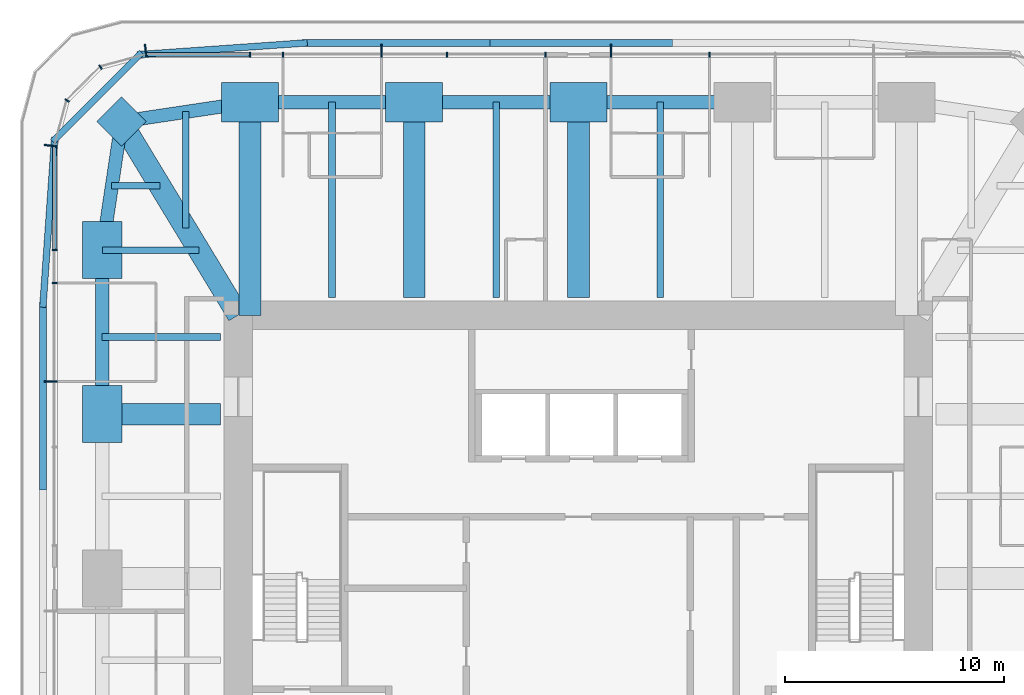
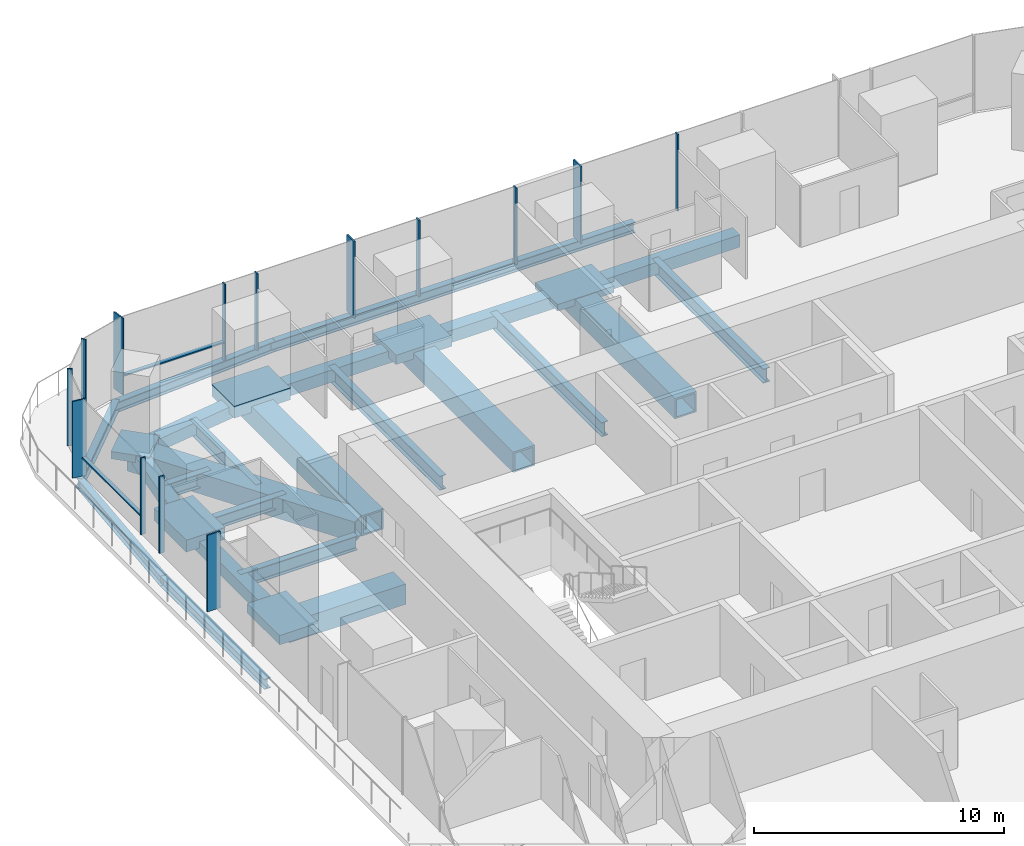
# One storey, part 5 of 15: 33 members, 13 beams, 3 elements without a shape of their own.
"""IFC4 building model written with IfcOpenShell, lengths in metres."""

from ifc_helpers import new_model, si_unit, direction, frame, origin, origin_2d, place, context, subcontext, project, spatial, rectangle, hollow_rectangle, i_section, extrude, material, material_profile, profile_set, type_object, element, aggregate, save


model = new_model("IFC4")

# Units and contexts
model_context = context("Model", 3, precision=1e-05, world=origin(), true_north=direction((0.0, 1.0)))
body_context = subcontext(model_context, "Body", "Model", "MODEL_VIEW")
ifc_project = project(units=[si_unit("LENGTHUNIT", "METRE"), si_unit("AREAUNIT", "SQUARE_METRE"), si_unit("VOLUMEUNIT", "CUBIC_METRE"), si_unit("PLANEANGLEUNIT", "RADIAN"), si_unit("MASSUNIT", "GRAM", prefix="KILO")], contexts=[model_context])

# Site, building, storey
site_placement = place(None, origin())
site = spatial("IfcSite", under=ifc_project, at=site_placement, CompositionType="ELEMENT")
building_placement = place(site_placement, origin())
building = spatial("IfcBuilding", under=site, at=building_placement, Name="Khuree Lantern Residences", CompositionType="ELEMENT")
storey_placement = place(building_placement, frame((0.0, 0.0, 285.75)))
storey = spatial("IfcBuildingStorey", under=building, at=storey_placement, Name="L71", CompositionType="ELEMENT", Elevation=285.75)

# Beams
ifc_material_1 = material(Name="Steel S355", Category="steel")
ifc_material_profile_1 = material_profile(ifc_material_1, i_section(OverallWidth=0.300048828125, OverallDepth=0.68994140625, WebThickness=0.014404296875, FlangeThickness=0.027099609375, FilletRadius=0.027099609375, at=origin_2d()), Name="HE 700 A")
ifc_profile_set_1 = profile_set([ifc_material_profile_1], Name="Steel S355")
beam_type_1 = type_object("IfcBeamType", Name="B-41 SECONDARY BEAM HE 700 A", PredefinedType="BEAM", material=ifc_profile_set_1)
for number, where, z_axis, x_axis, name in (
    (1, (-11.2275390625, 21.716064453125, -0.594970703125), (0.0, -1.0, 0.0), (1.0, 0.0, 0.0), "Secondary beam N1"),
    (2, (-3.742431640625, 21.716064453125, -0.594970703125), (0.0, -1.0, 0.0), (1.0, 0.0, 0.0), "Secondary beam N2"),
    (3, (3.742431640625, 21.716064453125, -0.594970703125), (0.0, -1.0, 0.0), (1.0, 0.0, 0.0), "Secondary beam N3"),
):
    element("IfcBeam", number, at=place(storey_placement, frame(where, z_axis=z_axis, x_axis=x_axis)), inside=storey, type_object=beam_type_1, Name=name, PredefinedType="BEAM", context=body_context, shape_type="SweptSolid", body=[
        extrude(i_section(OverallWidth=0.300048828125, OverallDepth=0.68994140625, WebThickness=0.014404296875, FlangeThickness=0.027099609375, FilletRadius=0.027099609375, at=origin_2d()), origin(), (0.0, 0.0, 1.0), 8.916015625),
    ])
beam_1_placement = place(storey_placement, frame((-21.716064453125, 11.0, -0.594970703125), z_axis=(1.0, 0.0, 0.0), x_axis=(0.0, 1.0, 0.0)))
element("IfcBeam", 4, at=beam_1_placement, inside=storey, type_object=beam_type_1, Name="Secondary beam W5", PredefinedType="BEAM", context=body_context, shape_type="SweptSolid", body=[
    extrude(i_section(OverallWidth=0.300048828125, OverallDepth=0.68994140625, WebThickness=0.014404296875, FlangeThickness=0.027099609375, FilletRadius=0.027099609375, at=origin_2d()), origin(), (0.0, 0.0, 1.0), 5.416015625),
])
beam_2_placement = place(storey_placement, frame((-21.276123046875, 17.903076171875, -0.594970703125), z_axis=(1.0, 0.0, 0.0), x_axis=(0.0, 1.0, 0.0)))
element("IfcBeam", 5, at=beam_2_placement, inside=storey, type_object=beam_type_1, Name="Secondary beam W6", PredefinedType="BEAM", context=body_context, shape_type="SweptSolid", body=[
    extrude(i_section(OverallWidth=0.300048828125, OverallDepth=0.68994140625, WebThickness=0.014404296875, FlangeThickness=0.027099609375, FilletRadius=0.027099609375, at=origin_2d()), origin(), (0.0, 0.0, 1.0), 2.19775390625),
])
beam_3_placement = place(storey_placement, frame((-17.903076171875, 21.276123046875, -0.594970703125), z_axis=(0.0, -1.0, 0.0), x_axis=(1.0, 0.0, 0.0)))
element("IfcBeam", 6, at=beam_3_placement, inside=storey, type_object=beam_type_1, Name="Secondary beam N6", PredefinedType="BEAM", context=body_context, shape_type="SweptSolid", body=[
    extrude(i_section(OverallWidth=0.300048828125, OverallDepth=0.68994140625, WebThickness=0.014404296875, FlangeThickness=0.027099609375, FilletRadius=0.027099609375, at=origin_2d()), origin(), (0.0, 0.0, 1.0), 5.31201171875),
])

# Members
ifc_material_profile_2 = material_profile(ifc_material_1, hollow_rectangle(XDim=0.60009765625, YDim=0.60009765625, WallThickness=0.050048828125, at=origin_2d()), Name="WELDED BOX 600X600X50")
ifc_profile_set_2 = profile_set([ifc_material_profile_2], Name="Steel S355")
member_type_1 = type_object("IfcMemberType", Name="BT-71 BELT TRUSS CHORD WELDED BOX 600X600X50", PredefinedType="CHORD", material=ifc_profile_set_2)
for number, where, z_axis, x_axis, name in (
    (7, (-14.9599609375, 21.699951171875, -0.550048828125), (1.0, 0.0, 0.0), (0.0, 1.0, 0.0), "Belt truss chord N1"),
    (8, (-7.47998046875, 21.699951171875, -0.550048828125), (1.0, 0.0, 0.0), (0.0, 1.0, 0.0), "Belt truss chord N2"),
    (9, (0.0, 21.699951171875, -0.550048828125), (1.0, 0.0, 0.0), (0.0, 1.0, 0.0), "Belt truss chord N3"),
    (10, (-21.699951171875, 7.47998046875, -0.550048828125), (0.0, 1.0, 0.0), (-1.0, 0.0, 0.0), "Belt truss chord W5"),
):
    element("IfcMember", number, at=place(storey_placement, frame(where, z_axis=z_axis, x_axis=x_axis)), inside=storey, type_object=member_type_1, Name=name, PredefinedType="CHORD", context=body_context, shape_type="SweptSolid", body=[
        extrude(hollow_rectangle(XDim=0.60009765625, YDim=0.60009765625, WallThickness=0.050048828125, at=origin_2d()), origin(), (0.0, 0.0, 1.0), 7.47998046875),
    ])
for number, where, z_axis, x_axis, name in (
    (11, (-21.699951171875, 14.9599609375, -0.550048828125), (0.148251822985, 0.988949643299, 0.0), (-0.988949643299, 0.148251822985, 0.0), "Belt truss chord W6"),
    (12, (-20.8212890625, 20.8212890625, -0.550048828125), (0.988949643299, 0.148251822985, 0.0), (-0.148251822985, 0.988949643299, 0.0), "Belt truss chord N6"),
):
    element("IfcMember", number, at=place(storey_placement, frame(where, z_axis=z_axis, x_axis=x_axis)), inside=storey, type_object=member_type_1, Name=name, PredefinedType="CHORD", context=body_context, shape_type="SweptSolid", body=[
        extrude(hollow_rectangle(XDim=0.60009765625, YDim=0.60009765625, WallThickness=0.050048828125, at=origin_2d()), origin(), (0.0, 0.0, 1.0), 5.9267578125),
    ])

# Curtain wall, members
ifc_material_2 = material(Name="Bronze anodised aluminium", Category="aluminium")
curtain_wall_type_1 = type_object("IfcCurtainWallType", Name="CW-T1 TOWER FACE CURTAIN WALL", PredefinedType="USERDEFINED", material=ifc_material_2)
curtain_wall_1_placement = place(storey_placement, origin())
curtain_wall_1 = element("IfcCurtainWall", 13, at=curtain_wall_1_placement, inside=storey, type_object=curtain_wall_type_1, Name="L71 NORTH FACE CURTAIN WALL", ObjectType="Stick-built curtain wall", PredefinedType="USERDEFINED")
ifc_material_profile_3 = material_profile(ifc_material_2, rectangle(XDim=0.06494140625, YDim=0.60009765625, at=origin_2d()), Name="F1 65X600")
ifc_profile_set_3 = profile_set([ifc_material_profile_3], Name="Bronze anodised aluminium")
member_type_2 = type_object("IfcMemberType", Name="F1 BRONZE FIN MULLION TOWER 65X600", PredefinedType="MULLION", material=ifc_profile_set_3)
member_1_placement = place(storey_placement, frame((1.49609375, 24.050048828125, 0.0), z_axis=(0.0, 0.0, 1.0), x_axis=(-1.0, 0.0, 0.0)))
member_1 = element("IfcMember", 14, at=member_1_placement, type_object=member_type_2, Name="L71 NORTH FACE FIN MULLION 23", PredefinedType="MULLION", context=body_context, shape_type="SweptSolid", body=[
    extrude(rectangle(XDim=0.06494140625, YDim=0.60009765625, at=origin_2d()), origin(), (0.0, 0.0, 1.0), 3.75),
])
member_2_placement = place(storey_placement, frame((-8.97607421875, 24.050048828125, 0.0), z_axis=(0.0, 0.0, 1.0), x_axis=(-1.0, 0.0, 0.0)))
member_2 = element("IfcMember", 15, at=member_2_placement, type_object=member_type_2, Name="L71 NORTH FACE FIN MULLION 26", PredefinedType="MULLION", context=body_context, shape_type="SweptSolid", body=[
    extrude(rectangle(XDim=0.06494140625, YDim=0.60009765625, at=origin_2d()), origin(), (0.0, 0.0, 1.0), 3.75),
])

# Curtain wall, member
curtain_wall_type_2 = type_object("IfcCurtainWallType", Name="CW-T2 TOWER CORNER CURTAIN WALL", PredefinedType="USERDEFINED", material=ifc_material_2)
curtain_wall_2_placement = place(storey_placement, origin())
curtain_wall_2 = element("IfcCurtainWall", 16, at=curtain_wall_2_placement, inside=storey, type_object=curtain_wall_type_2, Name="L71 NORTH-WEST CORNER CURTAIN WALL", ObjectType="Faceted corner curtain wall", PredefinedType="USERDEFINED")
member_3_placement = place(storey_placement, frame((-19.7197265625, 24.050048828125, 0.0), z_axis=(0.0, 0.0, 1.0), x_axis=(-0.991444870192, -0.130526125236, 0.0)))
member_3 = element("IfcMember", 17, at=member_3_placement, type_object=member_type_2, Name="L71 NORTH-WEST CORNER FIN MULLION 29", PredefinedType="MULLION", context=body_context, shape_type="SweptSolid", body=[
    extrude(rectangle(XDim=0.06494140625, YDim=0.60009765625, at=origin_2d()), origin(), (0.0, 0.0, 1.0), 3.75),
])

# Curtain wall, members
curtain_wall_3_placement = place(storey_placement, origin())
curtain_wall_3 = element("IfcCurtainWall", 18, at=curtain_wall_3_placement, inside=storey, type_object=curtain_wall_type_1, Name="L71 WEST FACE CURTAIN WALL", ObjectType="Stick-built curtain wall", PredefinedType="USERDEFINED")
member_4_placement = place(storey_placement, frame((-24.050048828125, 19.7197265625, 0.0), z_axis=(0.0, 0.0, 1.0), x_axis=(-0.130526125236, -0.991444870192, 0.0)))
member_4 = element("IfcMember", 19, at=member_4_placement, type_object=member_type_2, Name="L71 WEST FACE FIN MULLION 32", PredefinedType="MULLION", context=body_context, shape_type="SweptSolid", body=[
    extrude(rectangle(XDim=0.06494140625, YDim=0.60009765625, at=origin_2d()), origin(), (0.0, 0.0, 1.0), 3.75),
])
member_5_placement = place(storey_placement, frame((-24.050048828125, 8.97607421875, 0.0), z_axis=(0.0, 0.0, 1.0), x_axis=(0.0, -1.0, 0.0)))
member_5 = element("IfcMember", 20, at=member_5_placement, type_object=member_type_2, Name="L71 WEST FACE FIN MULLION 35", PredefinedType="MULLION", context=body_context, shape_type="SweptSolid", body=[
    extrude(rectangle(XDim=0.06494140625, YDim=0.60009765625, at=origin_2d()), origin(), (0.0, 0.0, 1.0), 3.75),
])

# Beam
ifc_material_profile_4 = material_profile(ifc_material_1, i_section(OverallWidth=0.300048828125, OverallDepth=0.60009765625, WebThickness=0.015380859375, FlangeThickness=0.030029296875, FilletRadius=0.027099609375, at=origin_2d()), Name="HE 600 B")
ifc_profile_set_4 = profile_set([ifc_material_profile_4], Name="Steel S355")
beam_type_2 = type_object("IfcBeamType", Name="G-41 GIRDER HE 600 B", PredefinedType="BEAM", material=ifc_profile_set_4)
beam_4_placement = place(storey_placement, frame((-21.699951171875, 14.9599609375, -0.550048828125), z_axis=(1.0, 0.0, 0.0), x_axis=(0.0, 1.0, 0.0)))
element("IfcBeam", 21, at=beam_4_placement, inside=storey, type_object=beam_type_2, Name="Girder W5", PredefinedType="BEAM", context=body_context, shape_type="SweptSolid", body=[
    extrude(i_section(OverallWidth=0.300048828125, OverallDepth=0.60009765625, WebThickness=0.015380859375, FlangeThickness=0.030029296875, FilletRadius=0.027099609375, at=origin_2d()), origin(), (0.0, 0.0, 1.0), 4.405517578125),
])

# Member
ifc_material_profile_5 = material_profile(ifc_material_2, rectangle(XDim=0.06494140625, YDim=0.219970703125, at=origin_2d()), Name="M1 65X220")
ifc_profile_set_5 = profile_set([ifc_material_profile_5], Name="Bronze anodised aluminium")
member_type_3 = type_object("IfcMemberType", Name="M1 BRONZE MULLION TOWER 65X220", PredefinedType="MULLION", material=ifc_profile_set_5)
member_6_placement = place(storey_placement, frame((5.98388671875, 23.860107421875, 0.0), z_axis=(0.0, 0.0, 1.0), x_axis=(-1.0, 0.0, 0.0)))
member_6 = element("IfcMember", 22, at=member_6_placement, type_object=member_type_3, Name="L71 NORTH FACE MULLION 22", PredefinedType="MULLION", context=body_context, shape_type="SweptSolid", body=[
    extrude(rectangle(XDim=0.06494140625, YDim=0.219970703125, at=origin_2d()), origin(), (0.0, 0.0, 1.0), 3.75),
])

member_7_placement = place(storey_placement, frame((-1.49609375, 23.860107421875, 0.0), z_axis=(0.0, 0.0, 1.0), x_axis=(-1.0, 0.0, 0.0)))
member_7 = element("IfcMember", 23, at=member_7_placement, type_object=member_type_3, Name="L71 NORTH FACE MULLION 24", PredefinedType="MULLION", context=body_context, shape_type="SweptSolid", body=[
    extrude(rectangle(XDim=0.06494140625, YDim=0.219970703125, at=origin_2d()), origin(), (0.0, 0.0, 1.0), 3.75),
])

member_8_placement = place(storey_placement, frame((-5.98388671875, 23.860107421875, 0.0), z_axis=(0.0, 0.0, 1.0), x_axis=(-1.0, 0.0, 0.0)))
member_8 = element("IfcMember", 24, at=member_8_placement, type_object=member_type_3, Name="L71 NORTH FACE MULLION 25", PredefinedType="MULLION", context=body_context, shape_type="SweptSolid", body=[
    extrude(rectangle(XDim=0.06494140625, YDim=0.219970703125, at=origin_2d()), origin(), (0.0, 0.0, 1.0), 3.75),
])

member_9_placement = place(storey_placement, frame((-13.464111328125, 23.860107421875, 0.0), z_axis=(0.0, 0.0, 1.0), x_axis=(-1.0, 0.0, 0.0)))
member_9 = element("IfcMember", 25, at=member_9_placement, type_object=member_type_3, Name="L71 NORTH FACE MULLION 27", PredefinedType="MULLION", context=body_context, shape_type="SweptSolid", body=[
    extrude(rectangle(XDim=0.06494140625, YDim=0.219970703125, at=origin_2d()), origin(), (0.0, 0.0, 1.0), 3.75),
])

member_10_placement = place(storey_placement, frame((-14.9599609375, 23.860107421875, 0.0), z_axis=(0.0, 0.0, 1.0), x_axis=(-1.0, 0.0, 0.0)))
member_10 = element("IfcMember", 26, at=member_10_placement, type_object=member_type_3, Name="L71 NORTH FACE MULLION 28", PredefinedType="MULLION", context=body_context, shape_type="SweptSolid", body=[
    extrude(rectangle(XDim=0.06494140625, YDim=0.219970703125, at=origin_2d()), origin(), (0.0, 0.0, 1.0), 3.75),
])

member_11_placement = place(storey_placement, frame((-21.780029296875, 23.302734375, 0.0), z_axis=(0.0, 0.0, 1.0), x_axis=(-0.866025437565, -0.49999994149, 0.0)))
member_11 = element("IfcMember", 27, at=member_11_placement, type_object=member_type_3, Name="L71 NORTH-WEST CORNER MULLION 30", PredefinedType="MULLION", context=body_context, shape_type="SweptSolid", body=[
    extrude(rectangle(XDim=0.06494140625, YDim=0.219970703125, at=origin_2d()), origin(), (0.0, 0.0, 1.0), 3.75),
])

member_12_placement = place(storey_placement, frame((-23.302734375, 21.780029296875, 0.0), z_axis=(0.0, 0.0, 1.0), x_axis=(-0.49999994149, -0.866025437565, 0.0)))
member_12 = element("IfcMember", 28, at=member_12_placement, type_object=member_type_3, Name="L71 NORTH-WEST CORNER MULLION 31", PredefinedType="MULLION", context=body_context, shape_type="SweptSolid", body=[
    extrude(rectangle(XDim=0.06494140625, YDim=0.219970703125, at=origin_2d()), origin(), (0.0, 0.0, 1.0), 3.75),
])

aggregate(curtain_wall_2, [member_3, member_11, member_12])

member_13_placement = place(storey_placement, frame((-23.860107421875, 14.9599609375, 0.0), z_axis=(0.0, 0.0, 1.0), x_axis=(0.0, -1.0, 0.0)))
member_13 = element("IfcMember", 29, at=member_13_placement, type_object=member_type_3, Name="L71 WEST FACE MULLION 33", PredefinedType="MULLION", context=body_context, shape_type="SweptSolid", body=[
    extrude(rectangle(XDim=0.06494140625, YDim=0.219970703125, at=origin_2d()), origin(), (0.0, 0.0, 1.0), 3.75),
])

member_14_placement = place(storey_placement, frame((-23.860107421875, 13.464111328125, 0.0), z_axis=(0.0, 0.0, 1.0), x_axis=(0.0, -1.0, 0.0)))
member_14 = element("IfcMember", 30, at=member_14_placement, type_object=member_type_3, Name="L71 WEST FACE MULLION 34", PredefinedType="MULLION", context=body_context, shape_type="SweptSolid", body=[
    extrude(rectangle(XDim=0.06494140625, YDim=0.219970703125, at=origin_2d()), origin(), (0.0, 0.0, 1.0), 3.75),
])

# Members
ifc_material_3 = material(Name="Concrete C70/85", Category="concrete")
ifc_material_profile_6 = material_profile(ifc_material_3, rectangle(XDim=2.60009765625, YDim=1.800048828125, at=origin_2d()), Name="RC 2600X1800")
ifc_profile_set_6 = profile_set([ifc_material_profile_6], Name="Concrete C70/85")
member_type_4 = type_object("IfcMemberType", Name="MNC MEGA COLUMN NODE RC 2600X1800", PredefinedType="MEMBER", material=ifc_profile_set_6)
member_15_placement = place(storey_placement, frame((-14.9599609375, 21.699951171875, -0.550048828125), z_axis=(0.0, 0.0, 1.0), x_axis=(1.0, 0.0, 0.0)))
element("IfcMember", 31, at=member_15_placement, inside=storey, type_object=member_type_4, Name="Mega column node N1", PredefinedType="MEMBER", context=body_context, shape_type="SweptSolid", body=[
    extrude(rectangle(XDim=2.60009765625, YDim=1.800048828125, at=origin_2d()), origin(), (0.0, 0.0, 1.0), 0.590087890625),
])
member_16_placement = place(storey_placement, frame((-7.47998046875, 21.699951171875, -0.550048828125), z_axis=(0.0, 0.0, 1.0), x_axis=(1.0, 0.0, 0.0)))
element("IfcMember", 32, at=member_16_placement, inside=storey, type_object=member_type_4, Name="Mega column node N2", PredefinedType="MEMBER", context=body_context, shape_type="SweptSolid", body=[
    extrude(rectangle(XDim=2.60009765625, YDim=1.800048828125, at=origin_2d()), origin(), (0.0, 0.0, 1.0), 0.4599609375),
])
member_17_placement = place(storey_placement, frame((0.0, 21.699951171875, -0.550048828125), z_axis=(0.0, 0.0, 1.0), x_axis=(1.0, 0.0, 0.0)))
element("IfcMember", 33, at=member_17_placement, inside=storey, type_object=member_type_4, Name="Mega column node N3", PredefinedType="MEMBER", context=body_context, shape_type="SweptSolid", body=[
    extrude(rectangle(XDim=2.60009765625, YDim=1.800048828125, at=origin_2d()), origin(), (0.0, 0.0, 1.0), 0.320068359375),
])
member_18_placement = place(storey_placement, frame((-21.699951171875, 7.47998046875, -0.550048828125), z_axis=(0.0, 0.0, 1.0), x_axis=(0.0, 1.0, 0.0)))
element("IfcMember", 34, at=member_18_placement, inside=storey, type_object=member_type_4, Name="Mega column node W4", PredefinedType="MEMBER", context=body_context, shape_type="SweptSolid", body=[
    extrude(rectangle(XDim=2.60009765625, YDim=1.800048828125, at=origin_2d()), origin(), (0.0, 0.0, 1.0), 0.4599609375),
])
member_19_placement = place(storey_placement, frame((-21.699951171875, 14.9599609375, -0.550048828125), z_axis=(0.0, 0.0, 1.0), x_axis=(0.0, 1.0, 0.0)))
element("IfcMember", 35, at=member_19_placement, inside=storey, type_object=member_type_4, Name="Mega column node W5", PredefinedType="MEMBER", context=body_context, shape_type="SweptSolid", body=[
    extrude(rectangle(XDim=2.60009765625, YDim=1.800048828125, at=origin_2d()), origin(), (0.0, 0.0, 1.0), 0.590087890625),
])
ifc_material_profile_7 = material_profile(ifc_material_3, rectangle(XDim=1.60009765625, YDim=1.60009765625, at=origin_2d()), Name="RC 1600X1600")
ifc_profile_set_7 = profile_set([ifc_material_profile_7], Name="Concrete C70/85")
member_type_5 = type_object("IfcMemberType", Name="MND MEGA COLUMN NODE RC 1600X1600", PredefinedType="MEMBER", material=ifc_profile_set_7)
member_20_placement = place(storey_placement, frame((-20.8212890625, 20.8212890625, -0.550048828125), z_axis=(0.0, 0.0, 1.0), x_axis=(0.707106781187, 0.707106781187, 0.0)))
element("IfcMember", 36, at=member_20_placement, inside=storey, type_object=member_type_5, Name="Mega column node NW", PredefinedType="MEMBER", context=body_context, shape_type="SweptSolid", body=[
    extrude(rectangle(XDim=1.60009765625, YDim=1.60009765625, at=origin_2d()), origin(), (0.0, 0.0, 1.0), 0.360107421875),
])
ifc_material_profile_8 = material_profile(ifc_material_1, hollow_rectangle(XDim=1.0, YDim=1.0, WallThickness=0.080078125, at=origin_2d()), Name="WELDED BOX 1000X1000X80")
ifc_profile_set_8 = profile_set([ifc_material_profile_8], Name="Steel S355")
member_type_6 = type_object("IfcMemberType", Name="OT-71 OUTRIGGER TRUSS CHORD WELDED BOX 1000X1000X80", PredefinedType="CHORD", material=ifc_profile_set_8)
member_21_placement = place(storey_placement, frame((-14.9599609375, 21.699951171875, -0.75), z_axis=(0.0, -1.0, 0.0), x_axis=(1.0, 0.0, 0.0)))
element("IfcMember", 37, at=member_21_placement, inside=storey, type_object=member_type_6, Name="Outrigger chord N1", PredefinedType="CHORD", context=body_context, shape_type="SweptSolid", body=[
    extrude(hollow_rectangle(XDim=1.0, YDim=1.0, WallThickness=0.080078125, at=origin_2d()), origin(), (0.0, 0.0, 1.0), 9.72265625),
])
for number, where, z_axis, x_axis, name in (
    (38, (-7.47998046875, 21.699951171875, -0.75), (0.0, -1.0, 0.0), (1.0, 0.0, 0.0), "Outrigger chord N2"),
    (39, (0.0, 21.699951171875, -0.75), (0.0, -1.0, 0.0), (1.0, 0.0, 0.0), "Outrigger chord N3"),
):
    element("IfcMember", number, at=place(storey_placement, frame(where, z_axis=z_axis, x_axis=x_axis)), inside=storey, type_object=member_type_6, Name=name, PredefinedType="CHORD", context=body_context, shape_type="SweptSolid", body=[
        extrude(hollow_rectangle(XDim=1.0, YDim=1.0, WallThickness=0.080078125, at=origin_2d()), origin(), (0.0, 0.0, 1.0), 8.89990234375),
    ])
member_22_placement = place(storey_placement, frame((-21.699951171875, 7.47998046875, -0.75), z_axis=(1.0, 0.0, 0.0), x_axis=(0.0, 1.0, 0.0)))
element("IfcMember", 40, at=member_22_placement, inside=storey, type_object=member_type_6, Name="Outrigger chord W4", PredefinedType="CHORD", context=body_context, shape_type="SweptSolid", body=[
    extrude(hollow_rectangle(XDim=1.0, YDim=1.0, WallThickness=0.080078125, at=origin_2d()), origin(), (0.0, 0.0, 1.0), 5.39990234375),
])
member_23_placement = place(storey_placement, frame((-20.8876953125, 20.8876953125, -0.75), z_axis=(0.518387093146, -0.855146082059, 0.0), x_axis=(0.855146082059, 0.518387093146, 0.0)))
element("IfcMember", 41, at=member_23_placement, inside=storey, type_object=member_type_6, Name="Outrigger chord NW", PredefinedType="CHORD", context=body_context, shape_type="SweptSolid", body=[
    extrude(hollow_rectangle(XDim=1.0, YDim=1.0, WallThickness=0.080078125, at=origin_2d()), origin(), (0.0, 0.0, 1.0), 10.393310546875),
])

# Beams
ifc_material_profile_9 = material_profile(ifc_material_1, i_section(OverallWidth=0.300048828125, OverallDepth=0.5, WebThickness=0.014404296875, FlangeThickness=0.028076171875, FilletRadius=0.027099609375, at=origin_2d()), Name="HE 500 B")
ifc_profile_set_9 = profile_set([ifc_material_profile_9], Name="Steel S355")
beam_type_3 = type_object("IfcBeamType", Name="TB1 TERRACE EDGE BEAM HE 500 B", PredefinedType="BEAM", material=ifc_profile_set_9)
beam_5_placement = place(storey_placement, frame((-12.60498046875, 24.39990234375, -0.5), z_axis=(1.0, 0.0, 0.0), x_axis=(0.0, 1.0, 0.0)))
element("IfcBeam", 42, at=beam_5_placement, inside=storey, type_object=beam_type_3, Name="Terrace edge beam N1", PredefinedType="BEAM", context=body_context, shape_type="SweptSolid", body=[
    extrude(i_section(OverallWidth=0.300048828125, OverallDepth=0.5, WebThickness=0.014404296875, FlangeThickness=0.028076171875, FilletRadius=0.027099609375, at=origin_2d()), origin(), (0.0, 0.0, 1.0), 8.570068359375),
])
beam_6_placement = place(storey_placement, frame((-4.284912109375, 24.39990234375, -0.5), z_axis=(1.0, 0.0, 0.0), x_axis=(0.0, 1.0, 0.0)))
element("IfcBeam", 43, at=beam_6_placement, inside=storey, type_object=beam_type_3, Name="Terrace edge beam N2", PredefinedType="BEAM", context=body_context, shape_type="SweptSolid", body=[
    extrude(i_section(OverallWidth=0.300048828125, OverallDepth=0.5, WebThickness=0.014404296875, FlangeThickness=0.028076171875, FilletRadius=0.027099609375, at=origin_2d()), origin(), (0.0, 0.0, 1.0), 8.56982421875),
])
beam_7_placement = place(storey_placement, frame((-24.39990234375, 4.034912109375, -0.5), z_axis=(0.0, 1.0, 0.0), x_axis=(-1.0, 0.0, 0.0)))
element("IfcBeam", 44, at=beam_7_placement, inside=storey, type_object=beam_type_3, Name="Terrace edge beam W4", PredefinedType="BEAM", context=body_context, shape_type="SweptSolid", body=[
    extrude(i_section(OverallWidth=0.300048828125, OverallDepth=0.5, WebThickness=0.014404296875, FlangeThickness=0.028076171875, FilletRadius=0.027099609375, at=origin_2d()), origin(), (0.0, 0.0, 1.0), 8.570068359375),
])
beam_8_placement = place(storey_placement, frame((-24.40869140625, 12.355224609375, -0.5), z_axis=(0.069998351758, 0.997547107034, 0.0), x_axis=(-0.997547107034, 0.069998351758, 0.0)))
element("IfcBeam", 45, at=beam_8_placement, inside=storey, type_object=beam_type_3, Name="Terrace edge beam W5", PredefinedType="BEAM", context=body_context, shape_type="SweptSolid", body=[
    extrude(i_section(OverallWidth=0.300048828125, OverallDepth=0.5, WebThickness=0.014404296875, FlangeThickness=0.028076171875, FilletRadius=0.027099609375, at=origin_2d()), origin(), (0.0, 0.0, 1.0), 7.78125),
])
beam_9_placement = place(storey_placement, frame((-23.961181640625, 19.904296875, -0.5), z_axis=(0.707106781187, 0.707106781187, 0.0), x_axis=(-0.707106781187, 0.707106781187, 0.0)))
element("IfcBeam", 46, at=beam_9_placement, inside=storey, type_object=beam_type_3, Name="Terrace edge beam W6", PredefinedType="BEAM", context=body_context, shape_type="SweptSolid", body=[
    extrude(i_section(OverallWidth=0.300048828125, OverallDepth=0.5, WebThickness=0.014404296875, FlangeThickness=0.028076171875, FilletRadius=0.027099609375, at=origin_2d()), origin(), (0.0, 0.0, 1.0), 5.7373046875),
])
beam_10_placement = place(storey_placement, frame((-20.117431640625, 23.864013671875, -0.5), z_axis=(0.997547107034, 0.069998351758, 0.0), x_axis=(-0.069998351758, 0.997547107034, 0.0)))
element("IfcBeam", 47, at=beam_10_placement, inside=storey, type_object=beam_type_3, Name="Terrace edge beam N6", PredefinedType="BEAM", context=body_context, shape_type="SweptSolid", body=[
    extrude(i_section(OverallWidth=0.300048828125, OverallDepth=0.5, WebThickness=0.014404296875, FlangeThickness=0.028076171875, FilletRadius=0.027099609375, at=origin_2d()), origin(), (0.0, 0.0, 1.0), 7.78125),
])

# Member
ifc_material_profile_10 = material_profile(ifc_material_2, rectangle(XDim=0.179931640625, YDim=0.06494140625, at=origin_2d()), Name="T1 180X65")
ifc_profile_set_10 = profile_set([ifc_material_profile_10], Name="Bronze anodised aluminium")
member_type_7 = type_object("IfcMemberType", Name="TRANSOM T1 TOWER 180X65", PredefinedType="USERDEFINED", material=ifc_profile_set_10)
member_24_placement = place(storey_placement, frame((-14.992431640625, 23.8701171875, 0.89990234375), z_axis=(-1.0, 0.0, 0.0), x_axis=(0.0, -1.0, 0.0)))
member_24 = element("IfcMember", 48, at=member_24_placement, type_object=member_type_7, Name="L71 NORTH FACE TRANSOM 28.1", ObjectType="Transom", PredefinedType="USERDEFINED", context=body_context, shape_type="SweptSolid", body=[
    extrude(rectangle(XDim=0.179931640625, YDim=0.06494140625, at=origin_2d()), origin(), (0.0, 0.0, 1.0), 4.658935546875),
])

aggregate(curtain_wall_1, [member_6, member_1, member_7, member_8, member_2, member_9, member_10, member_24])

member_25_placement = place(storey_placement, frame((-23.8701171875, 19.6513671875, 0.89990234375), z_axis=(0.0, -1.0, 0.0), x_axis=(1.0, 0.0, 0.0)))
member_25 = element("IfcMember", 49, at=member_25_placement, type_object=member_type_7, Name="L71 WEST FACE TRANSOM 32.1", ObjectType="Transom", PredefinedType="USERDEFINED", context=body_context, shape_type="SweptSolid", body=[
    extrude(rectangle(XDim=0.179931640625, YDim=0.06494140625, at=origin_2d()), origin(), (0.0, 0.0, 1.0), 4.658935546875),
])

aggregate(curtain_wall_3, [member_4, member_13, member_14, member_5, member_25])

save(model, "model.ifc")
